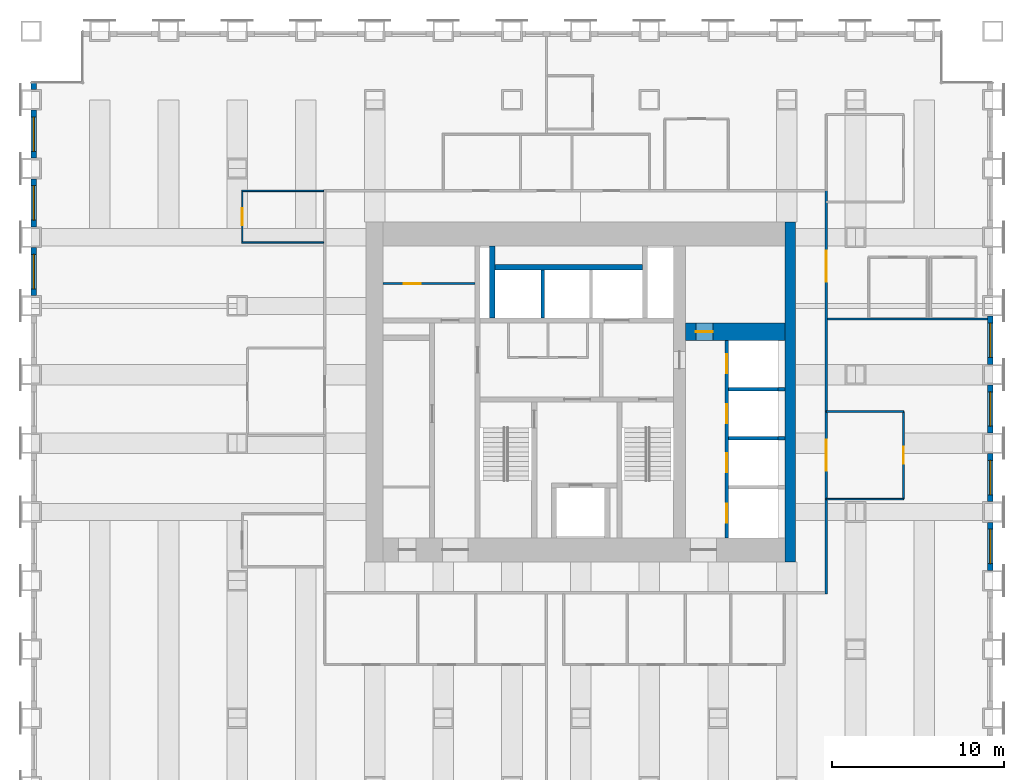
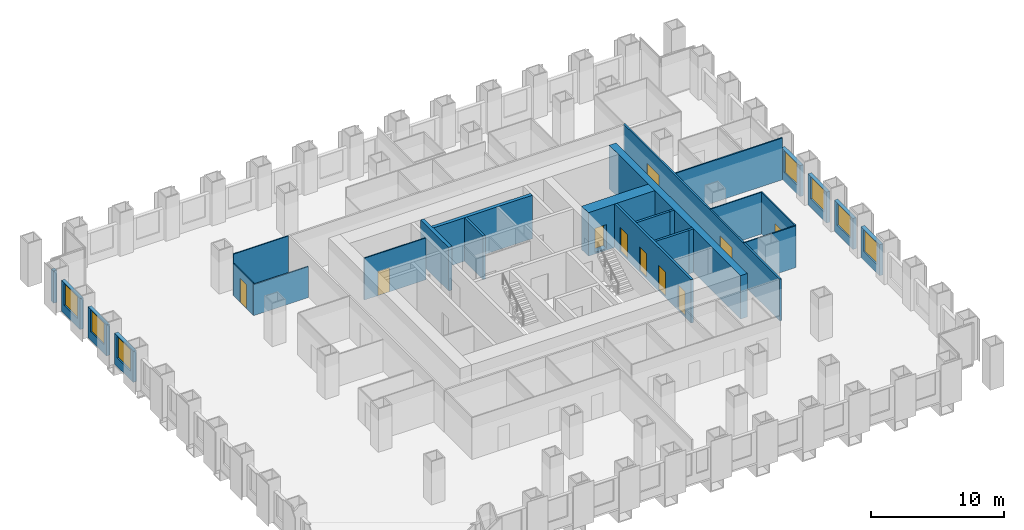
# One storey, part 10 of 14: 27 walls, 10 doors, 7 windows, 17 openings.
"""IFC4 building model written with IfcOpenShell, lengths in metres."""

from ifc_helpers import new_model, si_unit, direction, frame, frame_2d, origin, place, context, subcontext, project, spatial, rectangle, extrude, material, layer, layer_set, type_object, element, fill, save


model = new_model("IFC4")

# Units and contexts
model_context = context("Model", 3, precision=1e-05, world=origin(), true_north=direction((0.0, 1.0)))
body_context = subcontext(model_context, "Body", "Model", "MODEL_VIEW")
ifc_project = project(units=[si_unit("LENGTHUNIT", "METRE"), si_unit("AREAUNIT", "SQUARE_METRE"), si_unit("VOLUMEUNIT", "CUBIC_METRE"), si_unit("PLANEANGLEUNIT", "RADIAN"), si_unit("MASSUNIT", "GRAM", prefix="KILO")], contexts=[model_context])

# Site, building, storey
site_placement = place(None, origin())
site = spatial("IfcSite", under=ifc_project, at=site_placement, CompositionType="ELEMENT")
building_placement = place(site_placement, origin())
building = spatial("IfcBuilding", under=site, at=building_placement, Name="Rimbunsela Tower", CompositionType="ELEMENT")
storey_placement = place(building_placement, frame((0.0, 0.0, 47.0)))
storey = spatial("IfcBuildingStorey", under=building, at=storey_placement, Name="L11", CompositionType="ELEMENT", Elevation=47.0)

# Walls
ifc_material_1 = material(Name="Concrete fc' 80 MPa", Category="concrete")
ifc_layer_1 = layer(ifc_material_1, 0.300048828125)
ifc_layer_set_1 = layer_set([ifc_layer_1], Name="Core internal wall 300")
wall_type_1 = type_object("IfcWallType", Name="Core internal wall 300", PredefinedType="SHEAR", material=ifc_layer_set_1)
wall_1_placement = place(storey_placement, frame((24.85009765625, 31.300048828125, -0.14990234375), z_axis=(0.0, 0.0, 1.0), x_axis=(0.0, 1.0, 0.0)))
element("IfcWall", 1, at=wall_1_placement, inside=storey, type_object=wall_type_1, Name="Riser wall", PredefinedType="SHEAR", context=body_context, shape_type="SweptSolid", body=[
    extrude(rectangle(XDim=4.199951171875, YDim=0.300048828125, at=frame_2d((2.10009765625, 0.0))), origin(), (0.0, 0.0, 1.0), 4.0),
])
wall_2_placement = place(storey_placement, frame((25.0, 34.25, -0.14990234375), z_axis=(0.0, 0.0, 1.0), x_axis=(1.0, 0.0, 0.0)))
element("IfcWall", 2, at=wall_2_placement, inside=storey, type_object=wall_type_1, Name="Lift shaft rear north", PredefinedType="SHEAR", context=body_context, shape_type="SweptSolid", body=[
    extrude(rectangle(XDim=8.60009765625, YDim=0.300048828125, at=frame_2d((4.300048828125, 0.0))), origin(), (0.0, 0.0, 1.0), 4.0),
])

# Wall, opening, door
ifc_material_2 = material(Name="Concrete blockwork", Category="masonry")
ifc_layer_2 = layer(ifc_material_2, 0.10009765625)
ifc_layer_set_2 = layer_set([ifc_layer_2], Name="Core room partition 100")
wall_type_2 = type_object("IfcWallType", Name="Core room partition 100", PredefinedType="PARTITIONING", material=ifc_layer_set_2)
wall_3_placement = place(storey_placement, frame((18.5, 33.300048828125, 0.0), z_axis=(0.0, 0.0, 1.0), x_axis=(1.0, 0.0, 0.0)))
wall_3 = element("IfcWall", 3, at=wall_3_placement, inside=storey, type_object=wall_type_2, Name="Equipment store wall", PredefinedType="PARTITIONING", context=body_context, shape_type="SweptSolid", body=[
    extrude(rectangle(XDim=5.35009765625, YDim=0.10009765625, at=frame_2d((2.675048828125, 0.0))), origin(), (0.0, 0.0, 1.0), 3.85009765625),
])
opening_1_placement = place(wall_3_placement, frame((1.199951171875, 0.0, 0.0)))
opening_1 = element("IfcOpeningElement", 4, at=opening_1_placement, cuts=wall_3, Name="Opening D19", PredefinedType="OPENING", context=body_context, shape_type="SweptSolid", body=[
    extrude(rectangle(XDim=1.0, YDim=2.199951171875, at=frame_2d((0.5, 1.10009765625))), frame((0.0, 0.06005859375, 0.0), z_axis=(0.0, -1.0, 0.0), x_axis=(1.0, 0.0, 0.0)), (0.0, 0.0, 1.0), 0.1201171875),
])
ifc_material_3 = material(Name="Steel door, fire rated", Category="steel")
door_type_1 = type_object("IfcDoorType", Name="Service door 1000 fire rated", OperationType="SINGLE_SWING_LEFT", PredefinedType="DOOR", material=ifc_material_3)
door_1_placement = place(opening_1_placement, origin())
door_1 = element("IfcDoor", 5, at=door_1_placement, inside=storey, type_object=door_type_1, Name="Equipment store door", OperationType="SINGLE_SWING_LEFT", OverallHeight=2.199951171875, OverallWidth=1.0, PredefinedType="DOOR", context=body_context, shape_type="SweptSolid", body=[
    extrude(rectangle(XDim=1.0, YDim=2.199951171875, at=frame_2d((0.5, 1.10009765625))), frame((0.0, 0.02490234375, 0.0), z_axis=(0.0, -1.0, 0.0), x_axis=(1.0, 0.0, 0.0)), (0.0, 0.0, 1.0), 0.050048828125),
])
fill(opening_1, door_1)

ifc_material_4 = material(Name="Concrete fc' 80 MPa", Category="concrete")
ifc_layer_3 = layer(ifc_material_4, 1.0)
ifc_layer_set_3 = layer_set([ifc_layer_3], Name="Core wall 1000")
wall_type_3 = type_object("IfcWallType", Name="Core wall 1000", PredefinedType="SHEAR", material=ifc_layer_set_3)
wall_4_placement = place(storey_placement, frame((36.10009765625, 30.5, -0.14990234375), z_axis=(0.0, 0.0, 1.0), x_axis=(1.0, 0.0, 0.0)))
wall_4 = element("IfcWall", 6, at=wall_4_placement, inside=storey, type_object=wall_type_3, Name="Lift shaft rear east", PredefinedType="SHEAR", context=body_context, shape_type="SweptSolid", body=[
    extrude(rectangle(XDim=5.7998046875, YDim=1.0, at=frame_2d((2.89990234375, 0.0))), origin(), (0.0, 0.0, 1.0), 4.0),
])
opening_2_placement = place(wall_4_placement, frame((0.60009765625, 0.0, 0.14990234375)))
opening_2 = element("IfcOpeningElement", 7, at=opening_2_placement, cuts=wall_4, Name="Opening D19", PredefinedType="OPENING", context=body_context, shape_type="SweptSolid", body=[
    extrude(rectangle(XDim=1.0, YDim=2.199951171875, at=frame_2d((0.5, 1.10009765625))), frame((0.0, 0.510009765625, 0.0), z_axis=(0.0, -1.0, 0.0), x_axis=(1.0, 0.0, 0.0)), (0.0, 0.0, 1.0), 1.02001953125),
])
door_2_placement = place(opening_2_placement, origin())
door_2 = element("IfcDoor", 8, at=door_2_placement, inside=storey, type_object=door_type_1, Name="Communications room door", OperationType="SINGLE_SWING_LEFT", OverallHeight=2.199951171875, OverallWidth=1.0, PredefinedType="DOOR", context=body_context, shape_type="SweptSolid", body=[
    extrude(rectangle(XDim=1.0, YDim=2.199951171875, at=frame_2d((0.5, 1.10009765625))), frame((0.0, 0.02490234375, 0.0), z_axis=(0.0, -1.0, 0.0), x_axis=(1.0, 0.0, 0.0)), (0.0, 0.0, 1.0), 0.050048828125),
])
fill(opening_2, door_2)

# Walls
ifc_material_5 = material(Name="Concrete fc' 80 MPa", Category="concrete")
ifc_layer_4 = layer(ifc_material_5, 0.60009765625)
ifc_layer_set_4 = layer_set([ifc_layer_4], Name="Core wall 600")
wall_type_4 = type_object("IfcWallType", Name="Core wall 600", PredefinedType="SHEAR", material=ifc_layer_set_4)
wall_5_placement = place(storey_placement, frame((42.199951171875, 17.10009765625, -0.14990234375), z_axis=(0.0, 0.0, 1.0), x_axis=(0.0, 1.0, 0.0)))
element("IfcWall", 9, at=wall_5_placement, inside=storey, type_object=wall_type_4, Name="Core wall east", PredefinedType="SHEAR", context=body_context, shape_type="SweptSolid", body=[
    extrude(rectangle(XDim=19.7998046875, YDim=0.60009765625, at=frame_2d((9.89990234375, 0.0))), origin(), (0.0, 0.0, 1.0), 4.0),
])
ifc_material_6 = material(Name="Concrete blockwork", Category="masonry")
ifc_layer_5 = layer(ifc_material_6, 0.199951171875)
ifc_layer_set_5 = layer_set([ifc_layer_5], Name="Lift shaft wall 200")
wall_type_5 = type_object("IfcWallType", Name="Lift shaft wall 200", PredefinedType="SOLIDWALL", material=ifc_layer_set_5)
wall_6_placement = place(storey_placement, frame((27.800048828125, 31.300048828125, -0.14990234375), z_axis=(0.0, 0.0, 1.0), x_axis=(0.0, 1.0, 0.0)))
element("IfcWall", 10, at=wall_6_placement, inside=storey, type_object=wall_type_5, Name="Lift shaft separation", PredefinedType="SOLIDWALL", context=body_context, shape_type="SweptSolid", body=[
    extrude(rectangle(XDim=2.800048828125, YDim=0.199951171875, at=frame_2d((1.39990234375, 0.0))), origin(), (0.0, 0.0, 1.0), 4.0),
])

# Wall, openings, doors
wall_7_placement = place(storey_placement, frame((38.5, 18.5, -0.14990234375), z_axis=(0.0, 0.0, 1.0), x_axis=(0.0, 1.0, 0.0)))
wall_7 = element("IfcWall", 11, at=wall_7_placement, inside=storey, type_object=wall_type_5, Name="Lift shaft front east", PredefinedType="SOLIDWALL", context=body_context, shape_type="SweptSolid", body=[
    extrude(rectangle(XDim=11.5, YDim=0.199951171875, at=frame_2d((5.75, 0.0))), origin(), (0.0, 0.0, 1.0), 4.0),
])
opening_3_placement = place(wall_7_placement, frame((0.875, 0.0, 0.14990234375)))
opening_3 = element("IfcOpeningElement", 12, at=opening_3_placement, cuts=wall_7, Name="Opening LD1", PredefinedType="OPENING", context=body_context, shape_type="SweptSolid", body=[
    extrude(rectangle(XDim=1.10009765625, YDim=2.199951171875, at=frame_2d((0.550048828125, 1.10009765625))), frame((0.0, 0.10986328125, 0.0), z_axis=(0.0, -1.0, 0.0), x_axis=(1.0, 0.0, 0.0)), (0.0, 0.0, 1.0), 0.219970703125),
])
opening_4_placement = place(wall_7_placement, frame((3.824951171875, 0.0, 0.14990234375)))
opening_4 = element("IfcOpeningElement", 13, at=opening_4_placement, cuts=wall_7, Name="Opening LD1", PredefinedType="OPENING", context=body_context, shape_type="SweptSolid", body=[
    extrude(rectangle(XDim=1.10009765625, YDim=2.199951171875, at=frame_2d((0.550048828125, 1.10009765625))), frame((0.0, 0.10986328125, 0.0), z_axis=(0.0, -1.0, 0.0), x_axis=(1.0, 0.0, 0.0)), (0.0, 0.0, 1.0), 0.219970703125),
])
opening_5_placement = place(wall_7_placement, frame((6.675048828125, 0.0, 0.14990234375)))
opening_5 = element("IfcOpeningElement", 14, at=opening_5_placement, cuts=wall_7, Name="Opening LD1", PredefinedType="OPENING", context=body_context, shape_type="SweptSolid", body=[
    extrude(rectangle(XDim=1.10009765625, YDim=2.199951171875, at=frame_2d((0.550048828125, 1.10009765625))), frame((0.0, 0.10986328125, 0.0), z_axis=(0.0, -1.0, 0.0), x_axis=(1.0, 0.0, 0.0)), (0.0, 0.0, 1.0), 0.219970703125),
])
opening_6_placement = place(wall_7_placement, frame((9.574951171875, 0.0, 0.14990234375)))
opening_6 = element("IfcOpeningElement", 15, at=opening_6_placement, cuts=wall_7, Name="Opening LD1", PredefinedType="OPENING", context=body_context, shape_type="SweptSolid", body=[
    extrude(rectangle(XDim=1.10009765625, YDim=2.199951171875, at=frame_2d((0.550048828125, 1.10009765625))), frame((0.0, 0.10986328125, 0.0), z_axis=(0.0, -1.0, 0.0), x_axis=(1.0, 0.0, 0.0)), (0.0, 0.0, 1.0), 0.219970703125),
])
ifc_material_7 = material(Name="Steel door, fire rated", Category="steel")
door_type_2 = type_object("IfcDoorType", Name="Lift landing door 1100", OperationType="DOUBLE_DOOR_SLIDING", PredefinedType="DOOR", material=ifc_material_7)
door_3_placement = place(opening_3_placement, origin())
door_3 = element("IfcDoor", 16, at=door_3_placement, inside=storey, type_object=door_type_2, Name="Lift landing door LL1", OperationType="DOUBLE_DOOR_SLIDING", OverallHeight=2.199951171875, OverallWidth=1.10009765625, PredefinedType="DOOR", context=body_context, shape_type="SweptSolid", body=[
    extrude(rectangle(XDim=1.10009765625, YDim=2.199951171875, at=frame_2d((0.550048828125, 1.10009765625))), frame((0.0, 0.02490234375, 0.0), z_axis=(0.0, -1.0, 0.0), x_axis=(1.0, 0.0, 0.0)), (0.0, 0.0, 1.0), 0.050048828125),
])
fill(opening_3, door_3)
door_4_placement = place(opening_4_placement, origin())
door_4 = element("IfcDoor", 17, at=door_4_placement, inside=storey, type_object=door_type_2, Name="Lift landing door LL2", OperationType="DOUBLE_DOOR_SLIDING", OverallHeight=2.199951171875, OverallWidth=1.10009765625, PredefinedType="DOOR", context=body_context, shape_type="SweptSolid", body=[
    extrude(rectangle(XDim=1.10009765625, YDim=2.199951171875, at=frame_2d((0.550048828125, 1.10009765625))), frame((0.0, 0.02490234375, 0.0), z_axis=(0.0, -1.0, 0.0), x_axis=(1.0, 0.0, 0.0)), (0.0, 0.0, 1.0), 0.050048828125),
])
fill(opening_4, door_4)
door_5_placement = place(opening_5_placement, origin())
door_5 = element("IfcDoor", 18, at=door_5_placement, inside=storey, type_object=door_type_2, Name="Lift landing door LL3", OperationType="DOUBLE_DOOR_SLIDING", OverallHeight=2.199951171875, OverallWidth=1.10009765625, PredefinedType="DOOR", context=body_context, shape_type="SweptSolid", body=[
    extrude(rectangle(XDim=1.10009765625, YDim=2.199951171875, at=frame_2d((0.550048828125, 1.10009765625))), frame((0.0, 0.02490234375, 0.0), z_axis=(0.0, -1.0, 0.0), x_axis=(1.0, 0.0, 0.0)), (0.0, 0.0, 1.0), 0.050048828125),
])
fill(opening_5, door_5)
door_6_placement = place(opening_6_placement, origin())
door_6 = element("IfcDoor", 19, at=door_6_placement, inside=storey, type_object=door_type_2, Name="Lift landing door LL4", OperationType="DOUBLE_DOOR_SLIDING", OverallHeight=2.199951171875, OverallWidth=1.10009765625, PredefinedType="DOOR", context=body_context, shape_type="SweptSolid", body=[
    extrude(rectangle(XDim=1.10009765625, YDim=2.199951171875, at=frame_2d((0.550048828125, 1.10009765625))), frame((0.0, 0.02490234375, 0.0), z_axis=(0.0, -1.0, 0.0), x_axis=(1.0, 0.0, 0.0)), (0.0, 0.0, 1.0), 0.050048828125),
])
fill(opening_6, door_6)

# Walls
wall_8_placement = place(storey_placement, frame((38.60009765625, 24.300048828125, -0.14990234375), z_axis=(0.0, 0.0, 1.0), x_axis=(1.0, 0.0, 0.0)))
element("IfcWall", 20, at=wall_8_placement, inside=storey, type_object=wall_type_5, Name="Lift shaft separation", PredefinedType="SOLIDWALL", context=body_context, shape_type="SweptSolid", body=[
    extrude(rectangle(XDim=2.89990234375, YDim=0.199951171875, at=frame_2d((1.449951171875, 0.0))), origin(), (0.0, 0.0, 1.0), 4.0),
])
wall_9_placement = place(storey_placement, frame((41.5, 24.300048828125, -0.14990234375), z_axis=(0.0, 0.0, 1.0), x_axis=(1.0, 0.0, 0.0)))
element("IfcWall", 21, at=wall_9_placement, inside=storey, type_object=wall_type_5, Name="Lift shaft separation", PredefinedType="SOLIDWALL", context=body_context, shape_type="SweptSolid", body=[
    extrude(rectangle(XDim=0.39990234375, YDim=0.199951171875, at=frame_2d((0.199951171875, 0.0))), origin(), (0.0, 0.0, 1.0), 4.0),
])
wall_10_placement = place(storey_placement, frame((38.60009765625, 27.14990234375, -0.14990234375), z_axis=(0.0, 0.0, 1.0), x_axis=(1.0, 0.0, 0.0)))
element("IfcWall", 22, at=wall_10_placement, inside=storey, type_object=wall_type_5, Name="Lift shaft separation", PredefinedType="SOLIDWALL", context=body_context, shape_type="SweptSolid", body=[
    extrude(rectangle(XDim=2.89990234375, YDim=0.199951171875, at=frame_2d((1.449951171875, 0.0))), origin(), (0.0, 0.0, 1.0), 4.0),
])
wall_11_placement = place(storey_placement, frame((41.5, 27.14990234375, -0.14990234375), z_axis=(0.0, 0.0, 1.0), x_axis=(1.0, 0.0, 0.0)))
element("IfcWall", 23, at=wall_11_placement, inside=storey, type_object=wall_type_5, Name="Lift shaft separation", PredefinedType="SOLIDWALL", context=body_context, shape_type="SweptSolid", body=[
    extrude(rectangle(XDim=0.39990234375, YDim=0.199951171875, at=frame_2d((0.199951171875, 0.0))), origin(), (0.0, 0.0, 1.0), 4.0),
])
ifc_material_8 = material(Name="Gypsum board on steel studs", Category="steel")
ifc_layer_6 = layer(ifc_material_8, 0.10009765625)
ifc_layer_set_6 = layer_set([ifc_layer_6], Name="Office partition 100")
wall_type_6 = type_object("IfcWallType", Name="Office partition 100", PredefinedType="PARTITIONING", material=ifc_layer_set_6)
wall_12_placement = place(storey_placement, frame((10.25, 35.699951171875, 0.0), z_axis=(0.0, 0.0, 1.0), x_axis=(1.0, 0.0, 0.0)))
element("IfcWall", 24, at=wall_12_placement, inside=storey, type_object=wall_type_6, Name="Office partition", PredefinedType="PARTITIONING", context=body_context, shape_type="SweptSolid", body=[
    extrude(rectangle(XDim=4.77490234375, YDim=0.10009765625, at=frame_2d((2.387451171875, 0.0))), origin(), (0.0, 0.0, 1.0), 2.85009765625),
])
wall_13_placement = place(storey_placement, frame((10.25, 38.699951171875, 0.0), z_axis=(0.0, 0.0, 1.0), x_axis=(1.0, 0.0, 0.0)))
element("IfcWall", 25, at=wall_13_placement, inside=storey, type_object=wall_type_6, Name="Office partition", PredefinedType="PARTITIONING", context=body_context, shape_type="SweptSolid", body=[
    extrude(rectangle(XDim=4.77490234375, YDim=0.10009765625, at=frame_2d((2.387451171875, 0.0))), origin(), (0.0, 0.0, 1.0), 3.85009765625),
])

# Wall, opening, door
wall_14_placement = place(storey_placement, frame((10.300048828125, 35.75, 0.0), z_axis=(0.0, 0.0, 1.0), x_axis=(0.0, 1.0, 0.0)))
wall_14 = element("IfcWall", 26, at=wall_14_placement, inside=storey, type_object=wall_type_6, Name="Office partition", PredefinedType="PARTITIONING", context=body_context, shape_type="SweptSolid", body=[
    extrude(rectangle(XDim=2.89990234375, YDim=0.10009765625, at=frame_2d((1.449951171875, 0.0))), origin(), (0.0, 0.0, 1.0), 2.949951171875),
])
opening_7_placement = place(wall_14_placement, frame((0.949951171875, 0.0, 0.0)))
opening_7 = element("IfcOpeningElement", 27, at=opening_7_placement, cuts=wall_14, Name="Opening D16", PredefinedType="OPENING", context=body_context, shape_type="SweptSolid", body=[
    extrude(rectangle(XDim=1.0, YDim=2.199951171875, at=frame_2d((0.5, 1.10009765625))), frame((0.0, 0.06005859375, 0.0), z_axis=(0.0, -1.0, 0.0), x_axis=(1.0, 0.0, 0.0)), (0.0, 0.0, 1.0), 0.1201171875),
])
ifc_material_9 = material(Name="Timber door", Category="wood")
door_type_3 = type_object("IfcDoorType", Name="Office door 1000", OperationType="SINGLE_SWING_LEFT", PredefinedType="DOOR", material=ifc_material_9)
door_7_placement = place(opening_7_placement, origin())
door_7 = element("IfcDoor", 28, at=door_7_placement, inside=storey, type_object=door_type_3, Name="Office door", OperationType="SINGLE_SWING_LEFT", OverallHeight=2.199951171875, OverallWidth=1.0, PredefinedType="DOOR", context=body_context, shape_type="SweptSolid", body=[
    extrude(rectangle(XDim=1.0, YDim=2.199951171875, at=frame_2d((0.5, 1.10009765625))), frame((0.0, 0.02490234375, 0.0), z_axis=(0.0, -1.0, 0.0), x_axis=(1.0, 0.0, 0.0)), (0.0, 0.0, 1.0), 0.050048828125),
])
fill(opening_7, door_7)

# Wall
wall_15_placement = place(storey_placement, frame((44.300048828125, 20.75, 0.0), z_axis=(0.0, 0.0, 1.0), x_axis=(1.0, 0.0, 0.0)))
element("IfcWall", 29, at=wall_15_placement, inside=storey, type_object=wall_type_6, Name="Office partition", PredefinedType="PARTITIONING", context=body_context, shape_type="SweptSolid", body=[
    extrude(rectangle(XDim=4.5, YDim=0.10009765625, at=frame_2d((2.25, 0.0))), origin(), (0.0, 0.0, 1.0), 3.85009765625),
])

# Wall, opening, door
wall_16_placement = place(storey_placement, frame((48.800048828125, 20.75, 0.0), z_axis=(0.0, 0.0, 1.0), x_axis=(0.0, 1.0, 0.0)))
wall_16 = element("IfcWall", 30, at=wall_16_placement, inside=storey, type_object=wall_type_6, Name="Office partition", PredefinedType="PARTITIONING", context=body_context, shape_type="SweptSolid", body=[
    extrude(rectangle(XDim=5.10009765625, YDim=0.10009765625, at=frame_2d((2.550048828125, 0.0))), origin(), (0.0, 0.0, 1.0), 3.85009765625),
])
opening_8_placement = place(wall_16_placement, frame((2.050048828125, 0.0, 0.0)))
opening_8 = element("IfcOpeningElement", 31, at=opening_8_placement, cuts=wall_16, Name="Opening D17", PredefinedType="OPENING", context=body_context, shape_type="SweptSolid", body=[
    extrude(rectangle(XDim=1.0, YDim=2.199951171875, at=frame_2d((0.5, 1.10009765625))), frame((0.0, 0.06005859375, 0.0), z_axis=(0.0, -1.0, 0.0), x_axis=(1.0, 0.0, 0.0)), (0.0, 0.0, 1.0), 0.1201171875),
])
ifc_material_10 = material(Name="Glazed aluminium door", Category="aluminium")
door_type_4 = type_object("IfcDoorType", Name="Meeting room door 1000 glazed", OperationType="SINGLE_SWING_RIGHT", PredefinedType="DOOR", material=ifc_material_10)
door_8_placement = place(opening_8_placement, origin())
door_8 = element("IfcDoor", 32, at=door_8_placement, inside=storey, type_object=door_type_4, Name="Reception door", OperationType="SINGLE_SWING_RIGHT", OverallHeight=2.199951171875, OverallWidth=1.0, PredefinedType="DOOR", context=body_context, shape_type="SweptSolid", body=[
    extrude(rectangle(XDim=1.0, YDim=2.199951171875, at=frame_2d((0.5, 1.10009765625))), frame((0.0, 0.02490234375, 0.0), z_axis=(0.0, -1.0, 0.0), x_axis=(1.0, 0.0, 0.0)), (0.0, 0.0, 1.0), 0.050048828125),
])
fill(opening_8, door_8)

# Wall
wall_17_placement = place(storey_placement, frame((48.800048828125, 25.85009765625, 0.0), z_axis=(0.0, 0.0, 1.0), x_axis=(-1.0, 0.0, 0.0)))
element("IfcWall", 33, at=wall_17_placement, inside=storey, type_object=wall_type_6, Name="Office partition", PredefinedType="PARTITIONING", context=body_context, shape_type="SweptSolid", body=[
    extrude(rectangle(XDim=4.5, YDim=0.10009765625, at=frame_2d((2.25, 0.0))), origin(), (0.0, 0.0, 1.0), 3.85009765625),
])

# Wall, opening, window
ifc_material_11 = material(Name="Precast concrete fc' 35 MPa", Category="concrete")
ifc_layer_7 = layer(ifc_material_11, 0.300048828125)
ifc_layer_set_7 = layer_set([ifc_layer_7], Name="Precast concrete fc' 35 MPa")
wall_type_7 = type_object("IfcWallType", Name="Precast facade panel 300", PredefinedType="ELEMENTEDWALL", material=ifc_layer_set_7)
wall_18_placement = place(storey_placement, frame((53.85009765625, 16.60009765625, 0.0), z_axis=(0.0, 0.0, 1.0), x_axis=(0.0, 1.0, 0.0)))
wall_18 = element("IfcWall", 34, at=wall_18_placement, inside=storey, type_object=wall_type_7, Name="Facade panel E L11", PredefinedType="ELEMENTEDWALL", context=body_context, shape_type="SweptSolid", body=[
    extrude(rectangle(XDim=2.7998046875, YDim=0.300048828125, at=frame_2d((1.39990234375, 0.0))), origin(), (0.0, 0.0, 1.0), 2.85009765625),
])
opening_9_placement = place(wall_18_placement, frame((0.39990234375, 0.0, 0.800048828125)))
opening_9 = element("IfcOpeningElement", 35, at=opening_9_placement, cuts=wall_18, Name="Opening W1", PredefinedType="OPENING", context=body_context, shape_type="SweptSolid", body=[
    extrude(rectangle(XDim=2.0, YDim=2.0, at=frame_2d((1.0, 1.0))), frame((0.0, 0.159912109375, 0.0), z_axis=(0.0, -1.0, 0.0), x_axis=(1.0, 0.0, 0.0)), (0.0, 0.0, 1.0), 0.320068359375),
])
ifc_material_12 = material(Name="Clear glass in aluminium frame", Category="aluminium")
window_type = type_object("IfcWindowType", Name="Window W1 2000x2000", PartitioningType="DOUBLE_PANEL_VERTICAL", PredefinedType="WINDOW", material=ifc_material_12)
window_1_placement = place(opening_9_placement, origin())
window_1 = element("IfcWindow", 36, at=window_1_placement, inside=storey, type_object=window_type, Name="Window L11", OverallHeight=2.0, OverallWidth=2.0, PartitioningType="SINGLE_PANEL", PredefinedType="WINDOW", context=body_context, shape_type="SweptSolid", body=[
    extrude(rectangle(XDim=2.0, YDim=2.0, at=frame_2d((1.0, 1.0))), frame((0.0, 0.030029296875, 0.0), z_axis=(0.0, -1.0, 0.0), x_axis=(1.0, 0.0, 0.0)), (0.0, 0.0, 1.0), 0.06005859375),
])
fill(opening_9, window_1)

wall_19_placement = place(storey_placement, frame((53.85009765625, 20.60009765625, 0.0), z_axis=(0.0, 0.0, 1.0), x_axis=(0.0, 1.0, 0.0)))
wall_19 = element("IfcWall", 37, at=wall_19_placement, inside=storey, type_object=wall_type_7, Name="Facade panel E L11", PredefinedType="ELEMENTEDWALL", context=body_context, shape_type="SweptSolid", body=[
    extrude(rectangle(XDim=2.7998046875, YDim=0.300048828125, at=frame_2d((1.39990234375, 0.0))), origin(), (0.0, 0.0, 1.0), 2.85009765625),
])
opening_10_placement = place(wall_19_placement, frame((0.39990234375, 0.0, 0.800048828125)))
opening_10 = element("IfcOpeningElement", 38, at=opening_10_placement, cuts=wall_19, Name="Opening W1", PredefinedType="OPENING", context=body_context, shape_type="SweptSolid", body=[
    extrude(rectangle(XDim=2.0, YDim=2.0, at=frame_2d((1.0, 1.0))), frame((0.0, 0.159912109375, 0.0), z_axis=(0.0, -1.0, 0.0), x_axis=(1.0, 0.0, 0.0)), (0.0, 0.0, 1.0), 0.320068359375),
])
window_2_placement = place(opening_10_placement, origin())
window_2 = element("IfcWindow", 39, at=window_2_placement, inside=storey, type_object=window_type, Name="Window L11", OverallHeight=2.0, OverallWidth=2.0, PartitioningType="SINGLE_PANEL", PredefinedType="WINDOW", context=body_context, shape_type="SweptSolid", body=[
    extrude(rectangle(XDim=2.0, YDim=2.0, at=frame_2d((1.0, 1.0))), frame((0.0, 0.030029296875, 0.0), z_axis=(0.0, -1.0, 0.0), x_axis=(1.0, 0.0, 0.0)), (0.0, 0.0, 1.0), 0.06005859375),
])
fill(opening_10, window_2)

wall_20_placement = place(storey_placement, frame((53.85009765625, 24.60009765625, 0.0), z_axis=(0.0, 0.0, 1.0), x_axis=(0.0, 1.0, 0.0)))
wall_20 = element("IfcWall", 40, at=wall_20_placement, inside=storey, type_object=wall_type_7, Name="Facade panel E L11", PredefinedType="ELEMENTEDWALL", context=body_context, shape_type="SweptSolid", body=[
    extrude(rectangle(XDim=2.7998046875, YDim=0.300048828125, at=frame_2d((1.39990234375, 0.0))), origin(), (0.0, 0.0, 1.0), 2.85009765625),
])
opening_11_placement = place(wall_20_placement, frame((0.39990234375, 0.0, 0.800048828125)))
opening_11 = element("IfcOpeningElement", 41, at=opening_11_placement, cuts=wall_20, Name="Opening W1", PredefinedType="OPENING", context=body_context, shape_type="SweptSolid", body=[
    extrude(rectangle(XDim=2.0, YDim=2.0, at=frame_2d((1.0, 1.0))), frame((0.0, 0.159912109375, 0.0), z_axis=(0.0, -1.0, 0.0), x_axis=(1.0, 0.0, 0.0)), (0.0, 0.0, 1.0), 0.320068359375),
])
window_3_placement = place(opening_11_placement, origin())
window_3 = element("IfcWindow", 42, at=window_3_placement, inside=storey, type_object=window_type, Name="Window L11", OverallHeight=2.0, OverallWidth=2.0, PartitioningType="SINGLE_PANEL", PredefinedType="WINDOW", context=body_context, shape_type="SweptSolid", body=[
    extrude(rectangle(XDim=2.0, YDim=2.0, at=frame_2d((1.0, 1.0))), frame((0.0, 0.030029296875, 0.0), z_axis=(0.0, -1.0, 0.0), x_axis=(1.0, 0.0, 0.0)), (0.0, 0.0, 1.0), 0.06005859375),
])
fill(opening_11, window_3)

wall_21_placement = place(storey_placement, frame((53.85009765625, 28.60009765625, 0.0), z_axis=(0.0, 0.0, 1.0), x_axis=(0.0, 1.0, 0.0)))
wall_21 = element("IfcWall", 43, at=wall_21_placement, inside=storey, type_object=wall_type_7, Name="Facade panel E L11", PredefinedType="ELEMENTEDWALL", context=body_context, shape_type="SweptSolid", body=[
    extrude(rectangle(XDim=2.7998046875, YDim=0.300048828125, at=frame_2d((1.39990234375, 0.0))), origin(), (0.0, 0.0, 1.0), 2.85009765625),
])
opening_12_placement = place(wall_21_placement, frame((0.39990234375, 0.0, 0.800048828125)))
opening_12 = element("IfcOpeningElement", 44, at=opening_12_placement, cuts=wall_21, Name="Opening W1", PredefinedType="OPENING", context=body_context, shape_type="SweptSolid", body=[
    extrude(rectangle(XDim=2.0, YDim=2.0, at=frame_2d((1.0, 1.0))), frame((0.0, 0.159912109375, 0.0), z_axis=(0.0, -1.0, 0.0), x_axis=(1.0, 0.0, 0.0)), (0.0, 0.0, 1.0), 0.320068359375),
])
window_4_placement = place(opening_12_placement, origin())
window_4 = element("IfcWindow", 45, at=window_4_placement, inside=storey, type_object=window_type, Name="Window L11", OverallHeight=2.0, OverallWidth=2.0, PartitioningType="SINGLE_PANEL", PredefinedType="WINDOW", context=body_context, shape_type="SweptSolid", body=[
    extrude(rectangle(XDim=2.0, YDim=2.0, at=frame_2d((1.0, 1.0))), frame((0.0, 0.030029296875, 0.0), z_axis=(0.0, -1.0, 0.0), x_axis=(1.0, 0.0, 0.0)), (0.0, 0.0, 1.0), 0.06005859375),
])
fill(opening_12, window_4)

wall_22_placement = place(storey_placement, frame((-1.85009765625, 35.39990234375, 0.0), z_axis=(0.0, 0.0, 1.0), x_axis=(0.0, -1.0, 0.0)))
wall_22 = element("IfcWall", 46, at=wall_22_placement, inside=storey, type_object=wall_type_7, Name="Facade panel W L11", PredefinedType="ELEMENTEDWALL", context=body_context, shape_type="SweptSolid", body=[
    extrude(rectangle(XDim=2.7998046875, YDim=0.300048828125, at=frame_2d((1.39990234375, 0.0))), origin(), (0.0, 0.0, 1.0), 2.85009765625),
])
opening_13_placement = place(wall_22_placement, frame((0.39990234375, 0.0, 0.800048828125)))
opening_13 = element("IfcOpeningElement", 47, at=opening_13_placement, cuts=wall_22, Name="Opening W1", PredefinedType="OPENING", context=body_context, shape_type="SweptSolid", body=[
    extrude(rectangle(XDim=2.0, YDim=2.0, at=frame_2d((1.0, 1.0))), frame((0.0, 0.159912109375, 0.0), z_axis=(0.0, -1.0, 0.0), x_axis=(1.0, 0.0, 0.0)), (0.0, 0.0, 1.0), 0.320068359375),
])
window_5_placement = place(opening_13_placement, origin())
window_5 = element("IfcWindow", 48, at=window_5_placement, inside=storey, type_object=window_type, Name="Window L11", OverallHeight=2.0, OverallWidth=2.0, PartitioningType="SINGLE_PANEL", PredefinedType="WINDOW", context=body_context, shape_type="SweptSolid", body=[
    extrude(rectangle(XDim=2.0, YDim=2.0, at=frame_2d((1.0, 1.0))), frame((0.0, 0.030029296875, 0.0), z_axis=(0.0, -1.0, 0.0), x_axis=(1.0, 0.0, 0.0)), (0.0, 0.0, 1.0), 0.06005859375),
])
fill(opening_13, window_5)

wall_23_placement = place(storey_placement, frame((-1.85009765625, 39.39990234375, 0.0), z_axis=(0.0, 0.0, 1.0), x_axis=(0.0, -1.0, 0.0)))
wall_23 = element("IfcWall", 49, at=wall_23_placement, inside=storey, type_object=wall_type_7, Name="Facade panel W L11", PredefinedType="ELEMENTEDWALL", context=body_context, shape_type="SweptSolid", body=[
    extrude(rectangle(XDim=2.7998046875, YDim=0.300048828125, at=frame_2d((1.39990234375, 0.0))), origin(), (0.0, 0.0, 1.0), 2.85009765625),
])
opening_14_placement = place(wall_23_placement, frame((0.39990234375, 0.0, 0.800048828125)))
opening_14 = element("IfcOpeningElement", 50, at=opening_14_placement, cuts=wall_23, Name="Opening W1", PredefinedType="OPENING", context=body_context, shape_type="SweptSolid", body=[
    extrude(rectangle(XDim=2.0, YDim=2.0, at=frame_2d((1.0, 1.0))), frame((0.0, 0.159912109375, 0.0), z_axis=(0.0, -1.0, 0.0), x_axis=(1.0, 0.0, 0.0)), (0.0, 0.0, 1.0), 0.320068359375),
])
window_6_placement = place(opening_14_placement, origin())
window_6 = element("IfcWindow", 51, at=window_6_placement, inside=storey, type_object=window_type, Name="Window L11", OverallHeight=2.0, OverallWidth=2.0, PartitioningType="SINGLE_PANEL", PredefinedType="WINDOW", context=body_context, shape_type="SweptSolid", body=[
    extrude(rectangle(XDim=2.0, YDim=2.0, at=frame_2d((1.0, 1.0))), frame((0.0, 0.030029296875, 0.0), z_axis=(0.0, -1.0, 0.0), x_axis=(1.0, 0.0, 0.0)), (0.0, 0.0, 1.0), 0.06005859375),
])
fill(opening_14, window_6)

wall_24_placement = place(storey_placement, frame((-1.85009765625, 43.39990234375, 0.0), z_axis=(0.0, 0.0, 1.0), x_axis=(0.0, -1.0, 0.0)))
wall_24 = element("IfcWall", 52, at=wall_24_placement, inside=storey, type_object=wall_type_7, Name="Facade panel W L11", PredefinedType="ELEMENTEDWALL", context=body_context, shape_type="SweptSolid", body=[
    extrude(rectangle(XDim=2.7998046875, YDim=0.300048828125, at=frame_2d((1.39990234375, 0.0))), origin(), (0.0, 0.0, 1.0), 2.85009765625),
])
opening_15_placement = place(wall_24_placement, frame((0.39990234375, 0.0, 0.800048828125)))
opening_15 = element("IfcOpeningElement", 53, at=opening_15_placement, cuts=wall_24, Name="Opening W1", PredefinedType="OPENING", context=body_context, shape_type="SweptSolid", body=[
    extrude(rectangle(XDim=2.0, YDim=2.0, at=frame_2d((1.0, 1.0))), frame((0.0, 0.159912109375, 0.0), z_axis=(0.0, -1.0, 0.0), x_axis=(1.0, 0.0, 0.0)), (0.0, 0.0, 1.0), 0.320068359375),
])
window_7_placement = place(opening_15_placement, origin())
window_7 = element("IfcWindow", 54, at=window_7_placement, inside=storey, type_object=window_type, Name="Window L11", OverallHeight=2.0, OverallWidth=2.0, PartitioningType="SINGLE_PANEL", PredefinedType="WINDOW", context=body_context, shape_type="SweptSolid", body=[
    extrude(rectangle(XDim=2.0, YDim=2.0, at=frame_2d((1.0, 1.0))), frame((0.0, 0.030029296875, 0.0), z_axis=(0.0, -1.0, 0.0), x_axis=(1.0, 0.0, 0.0)), (0.0, 0.0, 1.0), 0.06005859375),
])
fill(opening_15, window_7)

# Wall
wall_25_placement = place(storey_placement, frame((-1.85009765625, 44.969970703125, 0.0), z_axis=(0.0, 0.0, 1.0), x_axis=(0.0, -1.0, 0.0)))
element("IfcWall", 55, at=wall_25_placement, inside=storey, type_object=wall_type_7, Name="Facade panel W L11", PredefinedType="ELEMENTEDWALL", context=body_context, shape_type="SweptSolid", body=[
    extrude(rectangle(XDim=0.369873046875, YDim=0.300048828125, at=frame_2d((0.18505859375, 0.0))), origin(), (0.0, 0.0, 1.0), 2.949951171875),
])

# Wall, openings, doors
ifc_material_13 = material(Name="Fire-rated gypsum board on steel studs, EI 60", Category="steel")
ifc_layer_8 = layer(ifc_material_13, 0.14990234375)
ifc_layer_set_8 = layer_set([ifc_layer_8], Name="Rated corridor wall 150")
wall_type_8 = type_object("IfcWallType", Name="Rated corridor wall 150", PredefinedType="PARTITIONING", material=ifc_layer_set_8)
wall_26_placement = place(storey_placement, frame((44.300048828125, 15.22509765625, 0.0), z_axis=(0.0, 0.0, 1.0), x_axis=(0.0, 1.0, 0.0)))
wall_26 = element("IfcWall", 56, at=wall_26_placement, inside=storey, type_object=wall_type_8, Name="Corridor wall east", PredefinedType="PARTITIONING", context=body_context, shape_type="SweptSolid", body=[
    extrude(rectangle(XDim=23.5498046875, YDim=0.14990234375, at=frame_2d((11.77490234375, 0.0))), origin(), (0.0, 0.0, 1.0), 3.85009765625),
])
opening_16_placement = place(wall_26_placement, frame((7.175048828125, 0.0, 0.0)))
opening_16 = element("IfcOpeningElement", 57, at=opening_16_placement, cuts=wall_26, Name="Opening D09", PredefinedType="OPENING", context=body_context, shape_type="SweptSolid", body=[
    extrude(rectangle(XDim=1.800048828125, YDim=2.39990234375, at=frame_2d((0.89990234375, 1.199951171875))), frame((0.0, 0.0849609375, 0.0), z_axis=(0.0, -1.0, 0.0), x_axis=(1.0, 0.0, 0.0)), (0.0, 0.0, 1.0), 0.169921875),
])
opening_17_placement = place(wall_26_placement, frame((18.175048828125, 0.0, 0.0)))
opening_17 = element("IfcOpeningElement", 58, at=opening_17_placement, cuts=wall_26, Name="Opening D09", PredefinedType="OPENING", context=body_context, shape_type="SweptSolid", body=[
    extrude(rectangle(XDim=1.800048828125, YDim=2.39990234375, at=frame_2d((0.89990234375, 1.199951171875))), frame((0.0, 0.0849609375, 0.0), z_axis=(0.0, -1.0, 0.0), x_axis=(1.0, 0.0, 0.0)), (0.0, 0.0, 1.0), 0.169921875),
])
ifc_material_14 = material(Name="Glazed aluminium door, fire rated", Category="aluminium")
door_type_5 = type_object("IfcDoorType", Name="Tenancy door 1800 glazed", OperationType="DOUBLE_DOOR_DOUBLE_SWING", PredefinedType="DOOR", material=ifc_material_14)
door_9_placement = place(opening_16_placement, origin())
door_9 = element("IfcDoor", 59, at=door_9_placement, inside=storey, type_object=door_type_5, Name="Tenancy door", OperationType="DOUBLE_DOOR_DOUBLE_SWING", OverallHeight=2.39990234375, OverallWidth=1.800048828125, PredefinedType="DOOR", context=body_context, shape_type="SweptSolid", body=[
    extrude(rectangle(XDim=1.800048828125, YDim=2.39990234375, at=frame_2d((0.89990234375, 1.199951171875))), frame((0.0, 0.02490234375, 0.0), z_axis=(0.0, -1.0, 0.0), x_axis=(1.0, 0.0, 0.0)), (0.0, 0.0, 1.0), 0.050048828125),
])
fill(opening_16, door_9)
door_10_placement = place(opening_17_placement, origin())
door_10 = element("IfcDoor", 60, at=door_10_placement, inside=storey, type_object=door_type_5, Name="Tenancy door", OperationType="DOUBLE_DOOR_DOUBLE_SWING", OverallHeight=2.39990234375, OverallWidth=1.800048828125, PredefinedType="DOOR", context=body_context, shape_type="SweptSolid", body=[
    extrude(rectangle(XDim=1.800048828125, YDim=2.39990234375, at=frame_2d((0.89990234375, 1.199951171875))), frame((0.0, 0.02490234375, 0.0), z_axis=(0.0, -1.0, 0.0), x_axis=(1.0, 0.0, 0.0)), (0.0, 0.0, 1.0), 0.050048828125),
])
fill(opening_17, door_10)

# Wall
ifc_material_15 = material(Name="Gypsum board on steel studs", Category="steel")
ifc_layer_9 = layer(ifc_material_15, 0.1201171875)
ifc_layer_set_9 = layer_set([ifc_layer_9], Name="Tenancy partition 120")
wall_type_9 = type_object("IfcWallType", Name="Tenancy partition 120", PredefinedType="PARTITIONING", material=ifc_layer_set_9)
wall_27_placement = place(storey_placement, frame((44.375, 31.25, 0.0), z_axis=(0.0, 0.0, 1.0), x_axis=(1.0, 0.0, 0.0)))
element("IfcWall", 61, at=wall_27_placement, inside=storey, type_object=wall_type_9, Name="Tenancy partition", PredefinedType="PARTITIONING", context=body_context, shape_type="SweptSolid", body=[
    extrude(rectangle(XDim=9.324951171875, YDim=0.1201171875, at=frame_2d((4.66259765625, 0.0))), origin(), (0.0, 0.0, 1.0), 3.85009765625),
])

save(model, "model.ifc")
